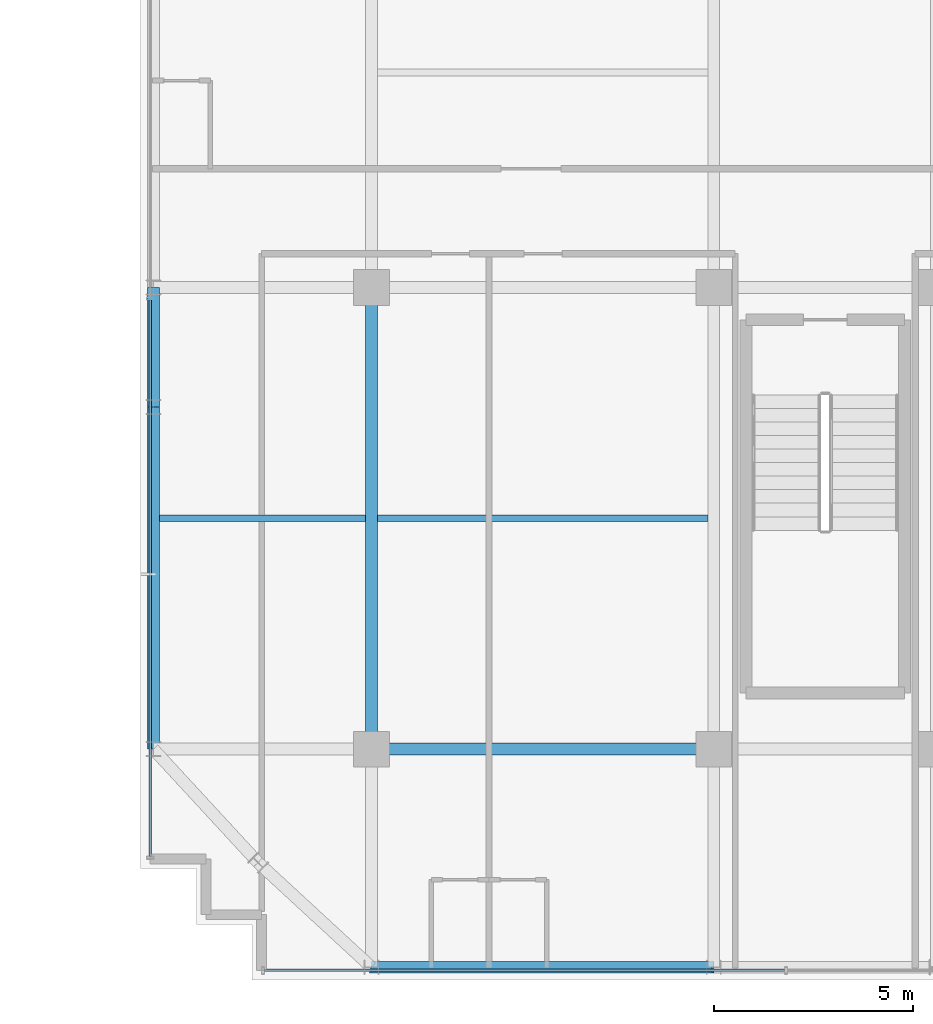
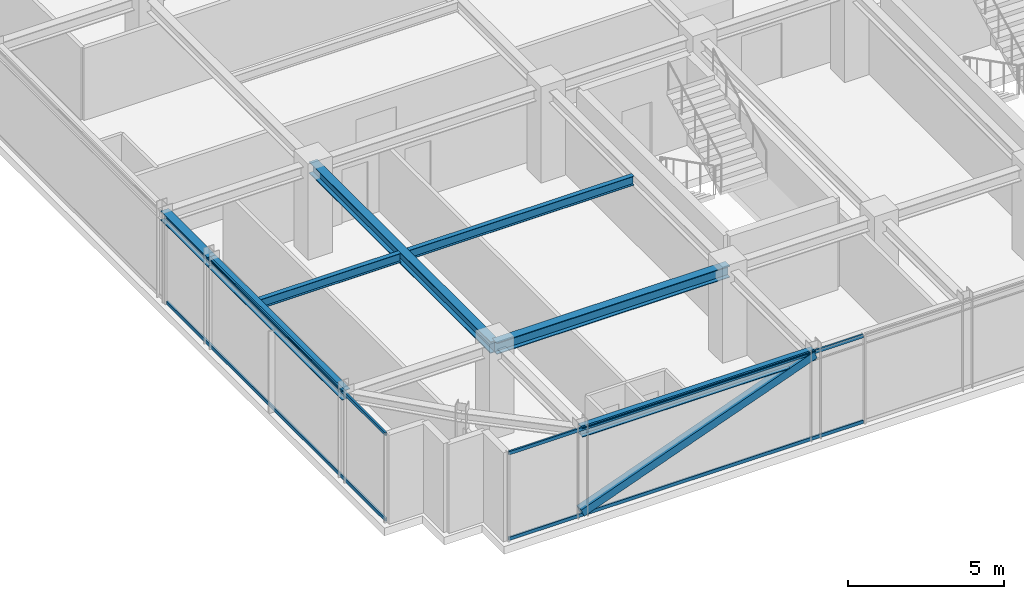
# One storey, part 5 of 34: 7 beams, 5 members, 2 elements without a shape of their own.
"""IFC4 building model written with IfcOpenShell, lengths in metres."""

from ifc_helpers import new_model, si_unit, direction, frame, origin, origin_2d, place, context, subcontext, project, spatial, hollow_rectangle, i_section, extrude, source, transform, mapped, material, material_profile, profile_set, type_object, element, aggregate, save


model = new_model("IFC4")

# Units and contexts
model_context = context("Model", 3, precision=1e-05, world=origin(), true_north=direction((0.0, 1.0)))
body_context = subcontext(model_context, "Body", "Model", "MODEL_VIEW")
ifc_project = project(units=[si_unit("LENGTHUNIT", "METRE"), si_unit("AREAUNIT", "SQUARE_METRE"), si_unit("VOLUMEUNIT", "CUBIC_METRE"), si_unit("PLANEANGLEUNIT", "RADIAN"), si_unit("MASSUNIT", "GRAM", prefix="KILO")], contexts=[model_context])

# Site, building, storey
site_placement = place(None, origin())
site = spatial("IfcSite", under=ifc_project, at=site_placement, CompositionType="ELEMENT")
building_placement = place(site_placement, origin())
building = spatial("IfcBuilding", under=site, at=building_placement, Name="Nahalor Promenade Grand Hotel", CompositionType="ELEMENT")
storey_placement = place(building_placement, frame((0.0, 0.0, 334.75)))
storey = spatial("IfcBuildingStorey", under=building, at=storey_placement, Name="L86", CompositionType="ELEMENT", Elevation=334.75)

# Beams
ifc_material_1 = material(Name="Steel S355JR", Category="steel")
ifc_material_profile_1 = material_profile(ifc_material_1, i_section(OverallWidth=0.3, OverallDepth=0.45, WebThickness=0.014, FlangeThickness=0.026, at=origin_2d()), Name="HEB 450")
ifc_profile_set_1 = profile_set([ifc_material_profile_1], Name="Steel S355JR")
beam_type_1 = type_object("IfcBeamType", Name="Beam-Girder-HEB450", PredefinedType="BEAM", material=ifc_profile_set_1)
shared_shape_1 = source(origin(), body_context, "Body", "SweptSolid", [
    extrude(i_section(OverallWidth=0.3, OverallDepth=0.45, WebThickness=0.014, FlangeThickness=0.026, at=origin_2d()), origin(), (0.0, 0.0, 1.0), 8.60009765625),
])
beam_1_placement = place(storey_placement, frame((-17.0, -17.0, 3.2451171875), z_axis=(1.0, 0.0, 0.0), x_axis=(0.0, 1.0, 0.0)))
element("IfcBeam", 1, at=beam_1_placement, inside=storey, type_object=beam_type_1, Name="BM-L86-GX-0-1", PredefinedType="BEAM", context=body_context, shape_type="MappedRepresentation", body=[
    mapped(shared_shape_1, transform((0.0, 0.0, 0.0), scale=1.0)),
])
shared_shape_2 = source(origin(), body_context, "Body", "SweptSolid", [
    extrude(i_section(OverallWidth=0.3, OverallDepth=0.45, WebThickness=0.014, FlangeThickness=0.026, at=origin_2d()), origin(), (0.0, 0.0, 1.0), 11.60009765625),
])
beam_2_placement = place(storey_placement, frame((-17.0, -17.0, 3.2451171875), z_axis=(0.0, 1.0, 0.0), x_axis=(-1.0, 0.0, 0.0)))
element("IfcBeam", 2, at=beam_2_placement, inside=storey, type_object=beam_type_1, Name="BM-L86-GY-0-1", PredefinedType="BEAM", context=body_context, shape_type="MappedRepresentation", body=[
    mapped(shared_shape_2, transform((0.0, 0.0, 0.0), scale=1.0)),
])
ifc_material_profile_2 = material_profile(ifc_material_1, i_section(OverallWidth=0.3, OverallDepth=0.36, WebThickness=0.0125, FlangeThickness=0.0225, at=origin_2d()), Name="HEB 360")
ifc_profile_set_2 = profile_set([ifc_material_profile_2], Name="Steel S355JR")
beam_type_2 = type_object("IfcBeamType", Name="Beam-Spandrel-HEB360", PredefinedType="SPANDREL", material=ifc_profile_set_2)
shared_shape_3 = source(origin(), body_context, "Body", "SweptSolid", [
    extrude(i_section(OverallWidth=0.3, OverallDepth=0.36, WebThickness=0.0125, FlangeThickness=0.0225, at=origin_2d()), origin(), (0.0, 0.0, 1.0), 8.60009765625),
])
for number, where, z_axis, x_axis, name in (
    (3, (-17.0, -22.47998046875, 3.2900390625), (1.0, 0.0, 0.0), (0.0, 1.0, 0.0), "BM-L86-SP-S-0"),
    (4, (-22.47998046875, -17.0, 3.2900390625), (0.0, 1.0, 0.0), (-1.0, 0.0, 0.0), "BM-L86-SP-W-0"),
):
    element("IfcBeam", number, at=place(storey_placement, frame(where, z_axis=z_axis, x_axis=x_axis)), inside=storey, type_object=beam_type_2, Name=name, PredefinedType="SPANDREL", context=body_context, shape_type="MappedRepresentation", body=[
        mapped(shared_shape_3, transform((0.0, 0.0, 0.0), scale=1.0)),
    ])
shared_shape_4 = source(origin(), body_context, "Body", "SweptSolid", [
    extrude(i_section(OverallWidth=0.3, OverallDepth=0.36, WebThickness=0.0125, FlangeThickness=0.0225, at=origin_2d()), origin(), (0.0, 0.0, 1.0), 3.0),
])
beam_3_placement = place(storey_placement, frame((-22.47998046875, -8.39990234375, 3.2900390625), z_axis=(0.0, 1.0, 0.0), x_axis=(-1.0, 0.0, 0.0)))
element("IfcBeam", 5, at=beam_3_placement, inside=storey, type_object=beam_type_2, Name="BM-L86-SP-W-1", PredefinedType="SPANDREL", context=body_context, shape_type="MappedRepresentation", body=[
    mapped(shared_shape_4, transform((0.0, 0.0, 0.0), scale=1.0)),
])
ifc_material_profile_3 = material_profile(ifc_material_1, i_section(OverallWidth=0.17, OverallDepth=0.36, WebThickness=0.008, FlangeThickness=0.0127, at=origin_2d()), Name="IPE 360")
ifc_profile_set_3 = profile_set([ifc_material_profile_3], Name="Steel S355JR")
beam_type_3 = type_object("IfcBeamType", Name="Beam-Joist-IPE360", PredefinedType="JOIST", material=ifc_profile_set_3)
shared_shape_5 = source(origin(), body_context, "Body", "SweptSolid", [
    extrude(i_section(OverallWidth=0.17, OverallDepth=0.36, WebThickness=0.008, FlangeThickness=0.0127, at=origin_2d()), origin(), (0.0, 0.0, 1.0), 5.18017578125),
])
beam_4_placement = place(storey_placement, frame((-22.330078125, -11.199951171875, 3.2900390625), z_axis=(1.0, 0.0, 0.0), x_axis=(0.0, 1.0, 0.0)))
element("IfcBeam", 6, at=beam_4_placement, inside=storey, type_object=beam_type_3, Name="BM-L86-JSW-0-0", PredefinedType="JOIST", context=body_context, shape_type="MappedRepresentation", body=[
    mapped(shared_shape_5, transform((0.0, 0.0, 0.0), scale=1.0)),
])
shared_shape_6 = source(origin(), body_context, "Body", "SweptSolid", [
    extrude(i_section(OverallWidth=0.17, OverallDepth=0.36, WebThickness=0.008, FlangeThickness=0.0127, at=origin_2d()), origin(), (0.0, 0.0, 1.0), 8.300048828125),
])
beam_5_placement = place(storey_placement, frame((-16.85009765625, -11.199951171875, 3.2900390625), z_axis=(1.0, 0.0, 0.0), x_axis=(0.0, 1.0, 0.0)))
element("IfcBeam", 7, at=beam_5_placement, inside=storey, type_object=beam_type_3, Name="BM-L86-JSW-0-1", PredefinedType="JOIST", context=body_context, shape_type="MappedRepresentation", body=[
    mapped(shared_shape_6, transform((0.0, 0.0, 0.0), scale=1.0)),
])

# Member
ifc_material_profile_4 = material_profile(ifc_material_1, hollow_rectangle(XDim=0.3, YDim=0.3, WallThickness=0.016, at=origin_2d()), Name="SHS 300x300x16")
ifc_profile_set_4 = profile_set([ifc_material_profile_4], Name="Steel S355JR")
member_type_1 = type_object("IfcMemberType", Name="Mem-CrownBrace-SHS300", PredefinedType="BRACE", material=ifc_profile_set_4)
shared_shape_7 = source(origin(), body_context, "Body", "SweptSolid", [
    extrude(hollow_rectangle(XDim=0.3, YDim=0.3, WallThickness=0.016, at=origin_2d()), origin(), (0.0, 0.0, 1.0), 9.165771484375),
])
member_1_placement = place(storey_placement, frame((-17.0, -22.47998046875, 0.14990234375), z_axis=(0.93828261906, 0.0, 0.345869522753), x_axis=(0.0, 1.0, 0.0)))
element("IfcMember", 8, at=member_1_placement, inside=storey, type_object=member_type_1, Name="EXO-L86-S-0", PredefinedType="BRACE", context=body_context, shape_type="MappedRepresentation", body=[
    mapped(shared_shape_7, transform((0.0, 0.0, 0.0), scale=1.0)),
])

# Curtain wall, members
ifc_material_2 = material(Name="Anodised Bronze Aluminium EN AW-6063 T6", Category="aluminium")
curtain_wall_type = type_object("IfcCurtainWallType", Name="CW2 Typical Hotel Flush Bronze Unitised Curtain Wall", PredefinedType="USERDEFINED", material=ifc_material_2)
curtain_wall_1_placement = place(storey_placement, origin())
curtain_wall_1 = element("IfcCurtainWall", 9, at=curtain_wall_1_placement, inside=storey, type_object=curtain_wall_type, Name="L86 Curtain Wall CW-L86-W-1", ObjectType="UNITISED_CURTAIN_WALL", PredefinedType="USERDEFINED")
ifc_material_profile_5 = material_profile(ifc_material_2, hollow_rectangle(XDim=0.065, YDim=0.13, WallThickness=0.004, at=origin_2d()), Name="CWT 65x130x4")
ifc_profile_set_5 = profile_set([ifc_material_profile_5], Name="Anodised Bronze Aluminium EN AW-6063 T6")
member_type_2 = type_object("IfcMemberType", Name="CWT2 Typical Bronze Transom 65x130", PredefinedType="USERDEFINED", material=ifc_profile_set_5)
shared_shape_8 = source(origin(), body_context, "Body", "SweptSolid", [
    extrude(hollow_rectangle(XDim=0.065, YDim=0.13, WallThickness=0.004, at=origin_2d()), origin(), (0.0, 0.0, 1.0), 13.982666015625),
])
member_2_placement = place(storey_placement, frame((-22.56005859375, -19.695068359375, 0.06494140625), z_axis=(0.0, 1.0, 0.0), x_axis=(-1.0, 0.0, 0.0)))
member_2 = element("IfcMember", 10, at=member_2_placement, type_object=member_type_2, Name="CW-L86-W-1 Transom 0-0", ObjectType="TRANSOM", PredefinedType="USERDEFINED", context=body_context, shape_type="MappedRepresentation", body=[
    mapped(shared_shape_8, transform((0.0, 0.0, 0.0), scale=1.0)),
])
member_3_placement = place(storey_placement, frame((-22.56005859375, -19.695068359375, 3.405029296875), z_axis=(0.0, 1.0, 0.0), x_axis=(-1.0, 0.0, 0.0)))
member_3 = element("IfcMember", 11, at=member_3_placement, type_object=member_type_2, Name="CW-L86-W-1 Transom 0-1", ObjectType="TRANSOM", PredefinedType="USERDEFINED", context=body_context, shape_type="MappedRepresentation", body=[
    mapped(shared_shape_8, transform((0.0, 0.0, 0.0), scale=1.0)),
])
aggregate(curtain_wall_1, [member_2, member_3])

curtain_wall_2_placement = place(storey_placement, origin())
curtain_wall_2 = element("IfcCurtainWall", 12, at=curtain_wall_2_placement, inside=storey, type_object=curtain_wall_type, Name="L86 Curtain Wall CW-L86-S-1", ObjectType="UNITISED_CURTAIN_WALL", PredefinedType="USERDEFINED")
shared_shape_9 = source(origin(), body_context, "Body", "SweptSolid", [
    extrude(hollow_rectangle(XDim=0.065, YDim=0.13, WallThickness=0.004, at=origin_2d()), origin(), (0.0, 0.0, 1.0), 13.075927734375),
])
member_4_placement = place(storey_placement, frame((-19.695068359375, -22.56005859375, 0.06494140625), z_axis=(1.0, 0.0, 0.0), x_axis=(0.0, 1.0, 0.0)))
member_4 = element("IfcMember", 13, at=member_4_placement, type_object=member_type_2, Name="CW-L86-S-1 Transom 0-0", ObjectType="TRANSOM", PredefinedType="USERDEFINED", context=body_context, shape_type="MappedRepresentation", body=[
    mapped(shared_shape_9, transform((0.0, 0.0, 0.0), scale=1.0)),
])
member_5_placement = place(storey_placement, frame((-19.695068359375, -22.56005859375, 3.405029296875), z_axis=(1.0, 0.0, 0.0), x_axis=(0.0, 1.0, 0.0)))
member_5 = element("IfcMember", 14, at=member_5_placement, type_object=member_type_2, Name="CW-L86-S-1 Transom 0-1", ObjectType="TRANSOM", PredefinedType="USERDEFINED", context=body_context, shape_type="MappedRepresentation", body=[
    mapped(shared_shape_9, transform((0.0, 0.0, 0.0), scale=1.0)),
])
aggregate(curtain_wall_2, [member_4, member_5])

save(model, "model.ifc")
